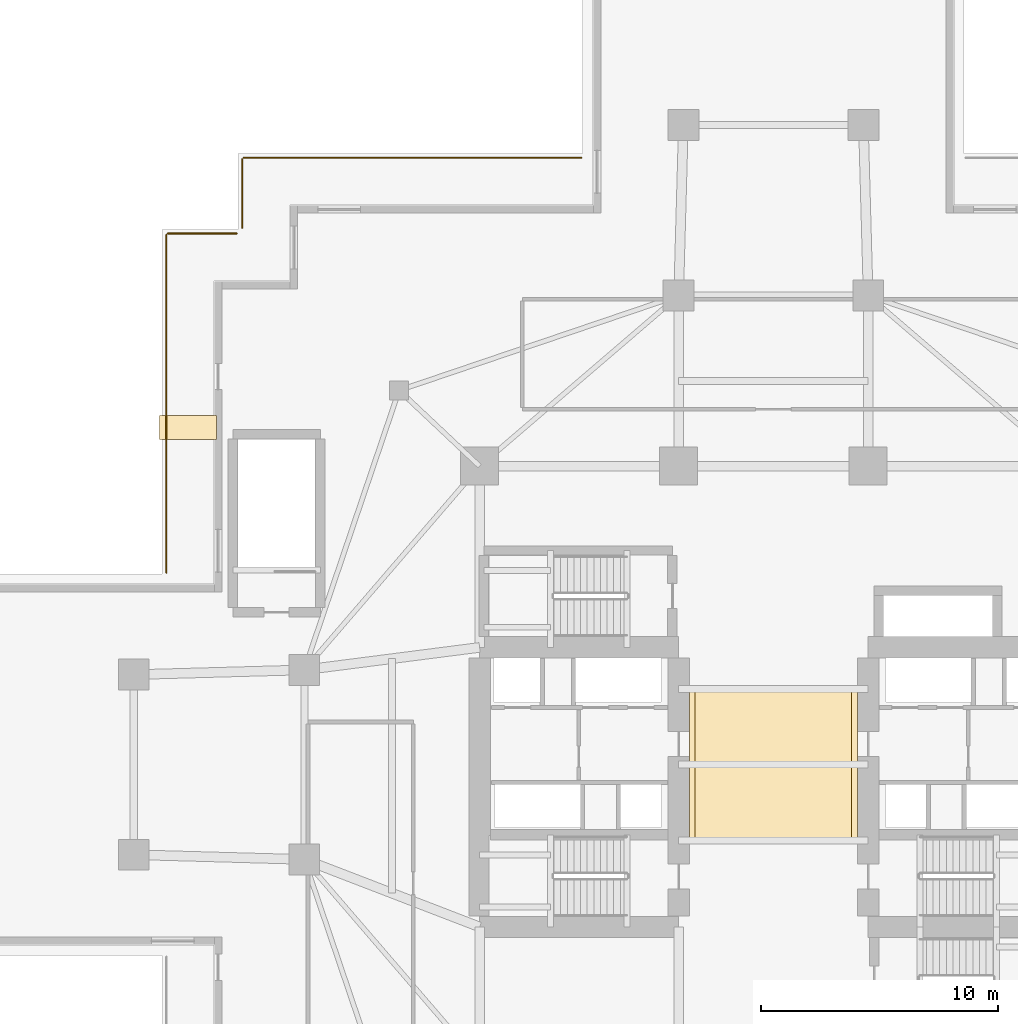
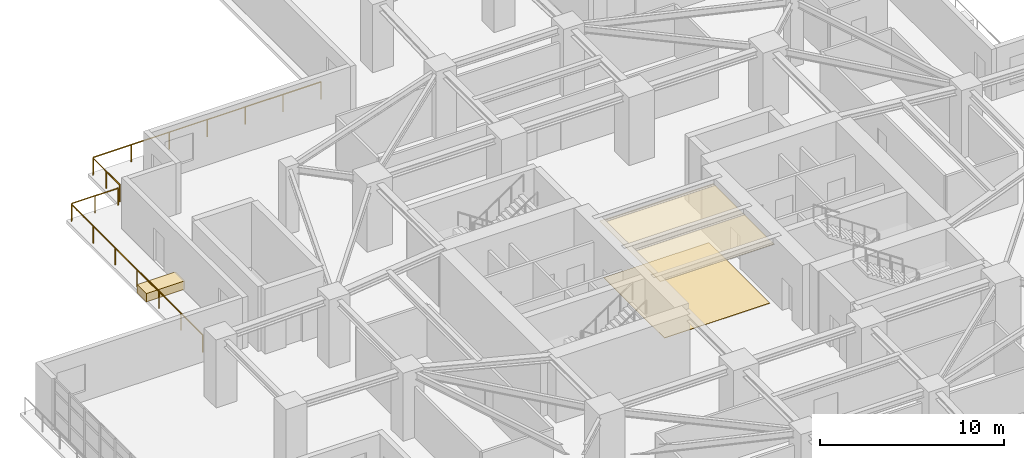
# One storey, part 22 of 24: 4 railings, 3 coverings.
"""IFC4 building model written with IfcOpenShell, lengths in metres."""

from ifc_helpers import new_model, si_unit, direction, frame, origin, origin_with_axes, origin_2d, place, context, subcontext, project, spatial, rectangle, circle, extrude, material, layer, layer_set, type_object, element, save


model = new_model("IFC4")

# Units and contexts
model_context = context("Model", 3, precision=1e-05, world=origin(), true_north=direction((0.0, 1.0)))
body_context = subcontext(model_context, "Body", "Model", "MODEL_VIEW")
ifc_project = project(units=[si_unit("LENGTHUNIT", "METRE"), si_unit("AREAUNIT", "SQUARE_METRE"), si_unit("VOLUMEUNIT", "CUBIC_METRE"), si_unit("PLANEANGLEUNIT", "RADIAN"), si_unit("MASSUNIT", "GRAM", prefix="KILO")], contexts=[model_context])

# Site, building, storey
site_placement = place(None, origin())
site = spatial("IfcSite", under=ifc_project, at=site_placement, CompositionType="ELEMENT")
building_placement = place(site_placement, origin())
building = spatial("IfcBuilding", under=site, at=building_placement, Name="Qingluan Cross Belvedere", CompositionType="ELEMENT")
storey_placement = place(building_placement, frame((0.0, 0.0, 19.199951171875)))
storey = spatial("IfcBuildingStorey", under=building, at=storey_placement, Name="L05", CompositionType="ELEMENT", Elevation=19.199951171875)

# Coverings
ifc_material_1 = material(Name="Perforated gypsum acoustic ceiling board")
ifc_layer_1 = layer(ifc_material_1, 0.0400390625, Name="AcousticLobbyCeiling_40")
ifc_layer_set_1 = layer_set([ifc_layer_1], Name="Perforated gypsum acoustic ceiling board")
covering_type_1 = type_object("IfcCoveringType", Name="AcousticLobbyCeiling_40", PredefinedType="CEILING", material=ifc_layer_set_1)
covering_1_placement = place(storey_placement, frame((0.0, 0.0, 3.820068359375), z_axis=(0.0, 0.0, 1.0), x_axis=(1.0, 0.0, 0.0)))
element("IfcCovering", 1, at=covering_1_placement, inside=storey, type_object=covering_type_1, Name="Central lobby acoustic ceiling L05", PredefinedType="CEILING", context=body_context, shape_type="SweptSolid", body=[
    extrude(rectangle(XDim=7.10009765625, YDim=6.60009765625, at=origin_2d()), origin(), (0.0, 0.0, 1.0), 0.0400390625),
])
ifc_material_2 = material(Name="Honed Hubei grey granite stone flooring", Category="masonry")
ifc_layer_2 = layer(ifc_material_2, 0.030029296875, Name="GraniteLobbyFlooring_30")
ifc_layer_set_2 = layer_set([ifc_layer_2], Name="Honed Hubei grey granite stone flooring")
covering_type_2 = type_object("IfcCoveringType", Name="GraniteLobbyFlooring_30", PredefinedType="FLOORING", material=ifc_layer_set_2)
covering_2_placement = place(storey_placement, origin_with_axes())
element("IfcCovering", 2, at=covering_2_placement, inside=storey, type_object=covering_type_2, Name="Central lobby granite flooring L05", PredefinedType="FLOORING", context=body_context, shape_type="SweptSolid", body=[
    extrude(rectangle(XDim=6.60009765625, YDim=6.60009765625, at=origin_2d()), origin(), (0.0, 0.0, 1.0), 0.030029296875),
])

# Railings
ifc_material_3 = material(Name="Laminated glass and stainless steel balustrade", Category="steel")
railing_type = type_object("IfcRailingType", Name="TerraceGuardBalustrade_1150", PredefinedType="BALUSTRADE", material=ifc_material_3)
railing_1_placement = place(storey_placement, frame((-25.6201171875, 8.110107421875, 0.0)))
element("IfcRailing", 3, at=railing_1_placement, inside=storey, type_object=railing_type, Name="Terrace guard L05-2", PredefinedType="BALUSTRADE", context=body_context, shape_type="SweptSolid", body=[
    extrude(circle(Radius=0.02392578125, at=origin_2d()), frame((0.0, 0.0, 1.1259765625), z_axis=(0.0, 1.0, 0.0), x_axis=(-1.0, 0.0, 0.0)), (0.0, 0.0, 1.0), 14.25),
    extrude(circle(Radius=0.02099609375, at=origin_2d()), origin(), (0.0, 0.0, 1.0), 1.101806640625),
    extrude(circle(Radius=0.02099609375, at=origin_2d()), frame((0.0, 2.375, 0.0)), (0.0, 0.0, 1.0), 1.101806640625),
    extrude(circle(Radius=0.02099609375, at=origin_2d()), frame((0.0, 4.75, 0.0)), (0.0, 0.0, 1.0), 1.101806640625),
    extrude(circle(Radius=0.02099609375, at=origin_2d()), frame((0.0, 7.125, 0.0)), (0.0, 0.0, 1.0), 1.101806640625),
    extrude(circle(Radius=0.02099609375, at=origin_2d()), frame((0.0, 9.5, 0.0)), (0.0, 0.0, 1.0), 1.101806640625),
    extrude(circle(Radius=0.02099609375, at=origin_2d()), frame((0.0, 11.875, 0.0)), (0.0, 0.0, 1.0), 1.101806640625),
    extrude(circle(Radius=0.02099609375, at=origin_2d()), frame((0.0, 14.25, 0.0)), (0.0, 0.0, 1.0), 1.101806640625),
])
railing_2_placement = place(storey_placement, frame((-25.56005859375, 22.419921875, 0.0)))
element("IfcRailing", 4, at=railing_2_placement, inside=storey, type_object=railing_type, Name="Terrace guard L05-3", PredefinedType="BALUSTRADE", context=body_context, shape_type="SweptSolid", body=[
    extrude(circle(Radius=0.02392578125, at=origin_2d()), frame((0.0, 0.0, 1.1259765625), z_axis=(1.0, 0.0, 0.0), x_axis=(0.0, 1.0, 0.0)), (0.0, 0.0, 1.0), 2.900146484375),
    extrude(circle(Radius=0.02099609375, at=origin_2d()), origin(), (0.0, 0.0, 1.0), 1.101806640625),
    extrude(circle(Radius=0.02099609375, at=origin_2d()), frame((1.4501953125, 0.0, 0.0)), (0.0, 0.0, 1.0), 1.101806640625),
    extrude(circle(Radius=0.02099609375, at=origin_2d()), frame((2.900146484375, 0.0, 0.0)), (0.0, 0.0, 1.0), 1.101806640625),
])
railing_3_placement = place(storey_placement, frame((-22.419921875, 22.659912109375, 0.0)))
element("IfcRailing", 5, at=railing_3_placement, inside=storey, type_object=railing_type, Name="Terrace guard L05-4", PredefinedType="BALUSTRADE", context=body_context, shape_type="SweptSolid", body=[
    extrude(circle(Radius=0.02392578125, at=origin_2d()), frame((0.0, 0.0, 1.1259765625), z_axis=(0.0, 1.0, 0.0), x_axis=(-1.0, 0.0, 0.0)), (0.0, 0.0, 1.0), 2.900146484375),
    extrude(circle(Radius=0.02099609375, at=origin_2d()), origin(), (0.0, 0.0, 1.0), 1.101806640625),
    extrude(circle(Radius=0.02099609375, at=origin_2d()), frame((0.0, 1.4501953125, 0.0)), (0.0, 0.0, 1.0), 1.101806640625),
    extrude(circle(Radius=0.02099609375, at=origin_2d()), frame((0.0, 2.900146484375, 0.0)), (0.0, 0.0, 1.0), 1.101806640625),
])
railing_4_placement = place(storey_placement, frame((-22.360107421875, 25.6201171875, 0.0)))
element("IfcRailing", 6, at=railing_4_placement, inside=storey, type_object=railing_type, Name="Terrace guard L05-5", PredefinedType="BALUSTRADE", context=body_context, shape_type="SweptSolid", body=[
    extrude(circle(Radius=0.02392578125, at=origin_2d()), frame((0.0, 0.0, 1.1259765625), z_axis=(1.0, 0.0, 0.0), x_axis=(0.0, 1.0, 0.0)), (0.0, 0.0, 1.0), 14.25),
    extrude(circle(Radius=0.02099609375, at=origin_2d()), origin(), (0.0, 0.0, 1.0), 1.101806640625),
    extrude(circle(Radius=0.02099609375, at=origin_2d()), frame((2.375, 0.0, 0.0)), (0.0, 0.0, 1.0), 1.101806640625),
    extrude(circle(Radius=0.02099609375, at=origin_2d()), frame((4.75, 0.0, 0.0)), (0.0, 0.0, 1.0), 1.101806640625),
    extrude(circle(Radius=0.02099609375, at=origin_2d()), frame((7.125, 0.0, 0.0)), (0.0, 0.0, 1.0), 1.101806640625),
    extrude(circle(Radius=0.02099609375, at=origin_2d()), frame((9.5, 0.0, 0.0)), (0.0, 0.0, 1.0), 1.101806640625),
    extrude(circle(Radius=0.02099609375, at=origin_2d()), frame((11.875, 0.0, 0.0)), (0.0, 0.0, 1.0), 1.101806640625),
    extrude(circle(Radius=0.02099609375, at=origin_2d()), frame((14.25, 0.0, 0.0)), (0.0, 0.0, 1.0), 1.101806640625),
])

# Covering
ifc_material_4 = material(Name="Precast concrete C40", Category="concrete")
ifc_layer_3 = layer(ifc_material_4, 0.550048828125, Name="TerracePlanterBox")
ifc_layer_set_3 = layer_set([ifc_layer_3], Name="Precast concrete C40")
covering_type_3 = type_object("IfcCoveringType", Name="TerracePlanterBox", PredefinedType="USERDEFINED", material=ifc_layer_set_3)
covering_3_placement = place(storey_placement, frame((-24.708984375, 14.23095703125, 0.0), z_axis=(0.0, 0.0, 1.0), x_axis=(1.0, 0.0, 0.0)))
element("IfcCovering", 7, at=covering_3_placement, inside=storey, type_object=covering_type_3, Name="Cascading garden terrace planter L05-2", ObjectType="PLANTER", PredefinedType="USERDEFINED", context=body_context, shape_type="SweptSolid", body=[
    extrude(rectangle(XDim=2.39990234375, YDim=1.0, at=origin_2d()), origin(), (0.0, 0.0, 1.0), 0.550048828125),
])

save(model, "model.ifc")
